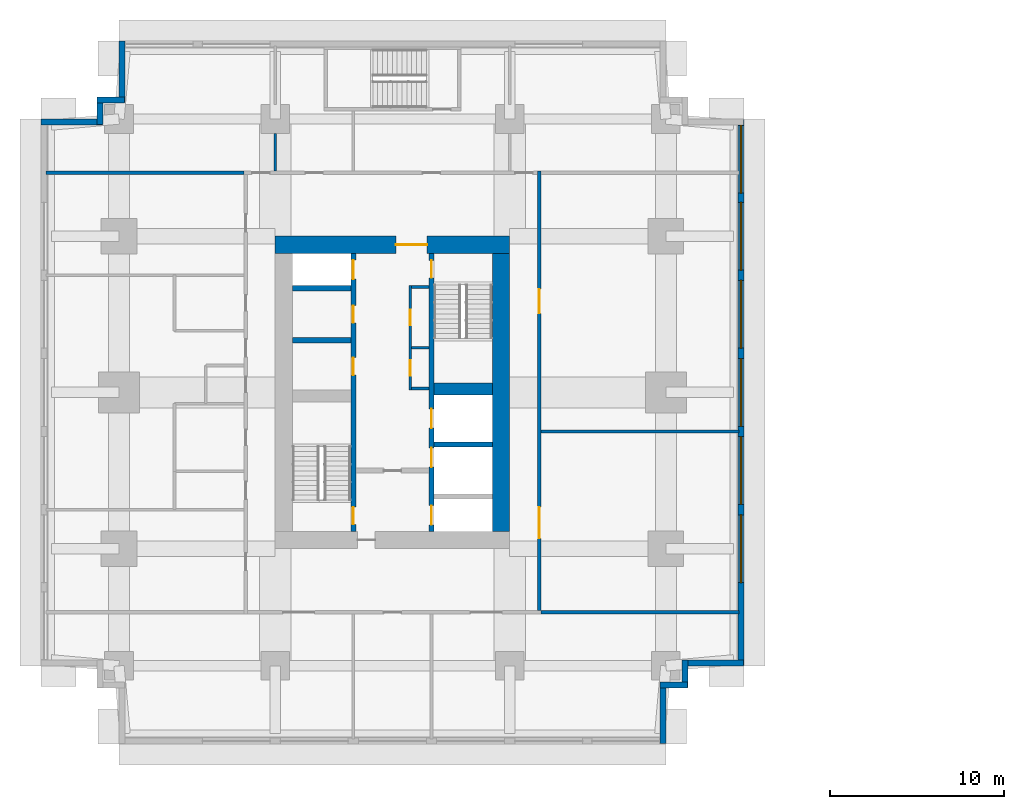
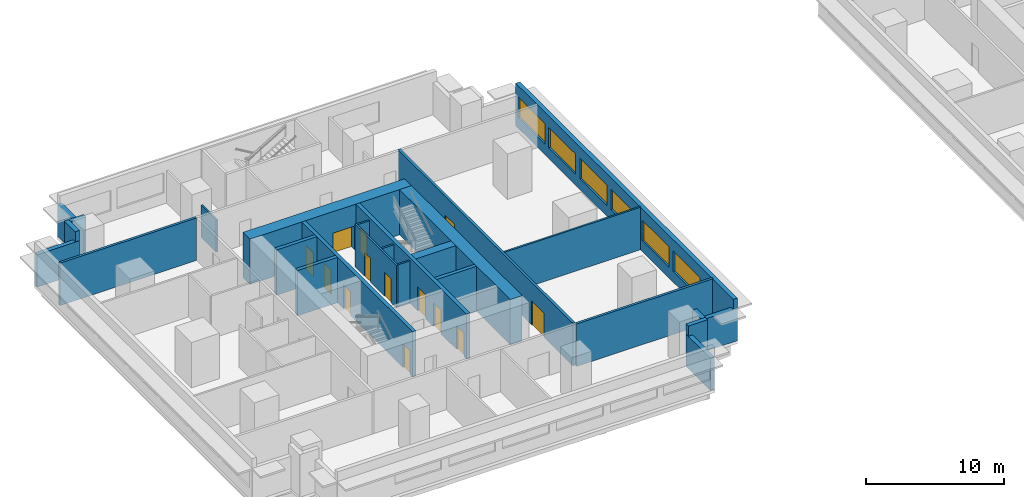
# One storey, part 4 of 11: 26 walls, 13 doors, 6 windows, 19 openings.
"""IFC4 building model written with IfcOpenShell, lengths in metres."""

from ifc_helpers import new_model, si_unit, direction, frame, frame_2d, origin, place, context, subcontext, project, spatial, rectangle, extrude, material, layer, layer_set, type_object, element, fill, save


model = new_model("IFC4")

# Units and contexts
model_context = context("Model", 3, precision=1e-05, world=origin(), true_north=direction((0.0, 1.0)))
body_context = subcontext(model_context, "Body", "Model", "MODEL_VIEW")
ifc_project = project(units=[si_unit("LENGTHUNIT", "METRE"), si_unit("AREAUNIT", "SQUARE_METRE"), si_unit("VOLUMEUNIT", "CUBIC_METRE"), si_unit("PLANEANGLEUNIT", "RADIAN"), si_unit("MASSUNIT", "GRAM", prefix="KILO")], contexts=[model_context])

# Site, building, storey
site_placement = place(None, origin())
site = spatial("IfcSite", under=ifc_project, at=site_placement, CompositionType="ELEMENT")
building_placement = place(site_placement, origin())
building = spatial("IfcBuilding", under=site, at=building_placement, Name="Namib Vertical Campus", CompositionType="ELEMENT")
storey_placement = place(building_placement, frame((0.0, 0.0, 197.0)))
storey = spatial("IfcBuildingStorey", under=building, at=storey_placement, Name="L46", CompositionType="ELEMENT", Elevation=197.0)

# Wall, openings, doors
ifc_material_1 = material(Name="Concrete C60/75", Category="concrete")
ifc_layer_1 = layer(ifc_material_1, 0.300048828125)
ifc_layer_set_1 = layer_set([ifc_layer_1], Name="Concrete C60/75")
wall_type_1 = type_object("IfcWallType", Name="Core inner wall 300", PredefinedType="SHEAR", material=ifc_layer_set_1)
wall_1_placement = place(storey_placement, frame((18.0, 12.25, 0.0), z_axis=(0.0, 0.0, 1.0), x_axis=(0.0, 1.0, 0.0)))
wall_1 = element("IfcWall", 1, at=wall_1_placement, inside=storey, type_object=wall_type_1, Name="Core inner wall A L46 W1", PredefinedType="SHEAR", context=body_context, shape_type="SweptSolid", body=[
    extrude(rectangle(XDim=16.0, YDim=0.300048828125, at=frame_2d((8.0, 0.0))), origin(), (0.0, 0.0, 1.0), 4.0),
])
opening_1_placement = place(wall_1_placement, frame((0.39990234375, 0.0, 0.0)))
opening_1 = element("IfcOpeningElement", 2, at=opening_1_placement, cuts=wall_1, Name="Opening FD1", PredefinedType="OPENING", context=body_context, shape_type="SweptSolid", body=[
    extrude(rectangle(XDim=1.0, YDim=2.10009765625, at=frame_2d((0.5, 1.050048828125))), frame((0.0, 0.159912109375, 0.0), z_axis=(0.0, -1.0, 0.0), x_axis=(1.0, 0.0, 0.0)), (0.0, 0.0, 1.0), 0.320068359375),
])
opening_2_placement = place(wall_1_placement, frame((14.52490234375, 0.0, 0.0)))
opening_2 = element("IfcOpeningElement", 3, at=opening_2_placement, cuts=wall_1, Name="Opening LD1", PredefinedType="OPENING", context=body_context, shape_type="SweptSolid", body=[
    extrude(rectangle(XDim=1.10009765625, YDim=2.10009765625, at=frame_2d((0.550048828125, 1.050048828125))), frame((0.0, 0.159912109375, 0.0), z_axis=(0.0, -1.0, 0.0), x_axis=(1.0, 0.0, 0.0)), (0.0, 0.0, 1.0), 0.320068359375),
])
opening_3_placement = place(wall_1_placement, frame((9.0, 0.0, 0.0)))
opening_3 = element("IfcOpeningElement", 4, at=opening_3_placement, cuts=wall_1, Name="Opening D1", PredefinedType="OPENING", context=body_context, shape_type="SweptSolid", body=[
    extrude(rectangle(XDim=1.0, YDim=2.10009765625, at=frame_2d((0.5, 1.050048828125))), frame((0.0, 0.159912109375, 0.0), z_axis=(0.0, -1.0, 0.0), x_axis=(1.0, 0.0, 0.0)), (0.0, 0.0, 1.0), 0.320068359375),
])
opening_4_placement = place(wall_1_placement, frame((12.0, 0.0, 0.0)))
opening_4 = element("IfcOpeningElement", 5, at=opening_4_placement, cuts=wall_1, Name="Opening D1", PredefinedType="OPENING", context=body_context, shape_type="SweptSolid", body=[
    extrude(rectangle(XDim=1.0, YDim=2.10009765625, at=frame_2d((0.5, 1.050048828125))), frame((0.0, 0.159912109375, 0.0), z_axis=(0.0, -1.0, 0.0), x_axis=(1.0, 0.0, 0.0)), (0.0, 0.0, 1.0), 0.320068359375),
])
ifc_material_2 = material(Name="Timber door leaf", Category="wood")
door_type_1 = type_object("IfcDoorType", Name="Door single 1000x2100", OperationType="SINGLE_SWING_LEFT", PredefinedType="DOOR", material=ifc_material_2)
door_1_placement = place(opening_3_placement, origin())
door_1 = element("IfcDoor", 6, at=door_1_placement, inside=storey, type_object=door_type_1, Name="Door D1 Store A L46 P1", OperationType="SINGLE_SWING_LEFT", OverallHeight=2.10009765625, OverallWidth=1.0, PredefinedType="DOOR", context=body_context, shape_type="SweptSolid", body=[
    extrude(rectangle(XDim=1.0, YDim=2.10009765625, at=frame_2d((0.5, 1.050048828125))), frame((0.0, 0.02490234375, 0.0), z_axis=(0.0, -1.0, 0.0), x_axis=(1.0, 0.0, 0.0)), (0.0, 0.0, 1.0), 0.050048828125),
])
fill(opening_3, door_1)
door_2_placement = place(opening_4_placement, origin())
door_2 = element("IfcDoor", 7, at=door_2_placement, inside=storey, type_object=door_type_1, Name="Door D1 Comms room A L46 P2", OperationType="SINGLE_SWING_LEFT", OverallHeight=2.10009765625, OverallWidth=1.0, PredefinedType="DOOR", context=body_context, shape_type="SweptSolid", body=[
    extrude(rectangle(XDim=1.0, YDim=2.10009765625, at=frame_2d((0.5, 1.050048828125))), frame((0.0, 0.02490234375, 0.0), z_axis=(0.0, -1.0, 0.0), x_axis=(1.0, 0.0, 0.0)), (0.0, 0.0, 1.0), 0.050048828125),
])
fill(opening_4, door_2)
ifc_material_3 = material(Name="Steel fire door", Category="steel")
door_type_2 = type_object("IfcDoorType", Name="Fire door 1000x2100", OperationType="SINGLE_SWING_RIGHT", PredefinedType="DOOR", material=ifc_material_3)
door_3_placement = place(opening_1_placement, origin())
door_3 = element("IfcDoor", 8, at=door_3_placement, inside=storey, type_object=door_type_2, Name="Stair door FD1 A L46 S1", OperationType="SINGLE_SWING_LEFT", OverallHeight=2.10009765625, OverallWidth=1.0, PredefinedType="DOOR", context=body_context, shape_type="SweptSolid", body=[
    extrude(rectangle(XDim=1.0, YDim=2.10009765625, at=frame_2d((0.5, 1.050048828125))), frame((0.0, 0.02490234375, 0.0), z_axis=(0.0, -1.0, 0.0), x_axis=(1.0, 0.0, 0.0)), (0.0, 0.0, 1.0), 0.050048828125),
])
fill(opening_1, door_3)
ifc_material_4 = material(Name="Stainless steel lift door", Category="steel")
door_type_3 = type_object("IfcDoorType", Name="Lift landing door 1100x2100", OperationType="DOUBLE_DOOR_SLIDING", PredefinedType="DOOR", material=ifc_material_4)
door_4_placement = place(opening_2_placement, origin())
door_4 = element("IfcDoor", 9, at=door_4_placement, inside=storey, type_object=door_type_3, Name="Lift landing door LD1 A-P3 L46", OperationType="DOUBLE_DOOR_SLIDING", OverallHeight=2.10009765625, OverallWidth=1.10009765625, PredefinedType="DOOR", context=body_context, shape_type="SweptSolid", body=[
    extrude(rectangle(XDim=1.10009765625, YDim=2.10009765625, at=frame_2d((0.550048828125, 1.050048828125))), frame((0.0, 0.02490234375, 0.0), z_axis=(0.0, -1.0, 0.0), x_axis=(1.0, 0.0, 0.0)), (0.0, 0.0, 1.0), 0.050048828125),
])
fill(opening_2, door_4)

wall_2_placement = place(storey_placement, frame((22.5, 12.25, 0.0), z_axis=(0.0, 0.0, 1.0), x_axis=(0.0, 1.0, 0.0)))
wall_2 = element("IfcWall", 10, at=wall_2_placement, inside=storey, type_object=wall_type_1, Name="Core inner wall A L46 W2", PredefinedType="SHEAR", context=body_context, shape_type="SweptSolid", body=[
    extrude(rectangle(XDim=16.0, YDim=0.300048828125, at=frame_2d((8.0, 0.0))), origin(), (0.0, 0.0, 1.0), 4.0),
])
opening_5_placement = place(wall_2_placement, frame((14.60009765625, 0.0, 0.0)))
opening_5 = element("IfcOpeningElement", 11, at=opening_5_placement, cuts=wall_2, Name="Opening FD1", PredefinedType="OPENING", context=body_context, shape_type="SweptSolid", body=[
    extrude(rectangle(XDim=1.0, YDim=2.10009765625, at=frame_2d((0.5, 1.050048828125))), frame((0.0, 0.159912109375, 0.0), z_axis=(0.0, -1.0, 0.0), x_axis=(1.0, 0.0, 0.0)), (0.0, 0.0, 1.0), 0.320068359375),
])
opening_6_placement = place(wall_2_placement, frame((0.375, 0.0, 0.0)))
opening_6 = element("IfcOpeningElement", 12, at=opening_6_placement, cuts=wall_2, Name="Opening LD1", PredefinedType="OPENING", context=body_context, shape_type="SweptSolid", body=[
    extrude(rectangle(XDim=1.10009765625, YDim=2.10009765625, at=frame_2d((0.550048828125, 1.050048828125))), frame((0.0, 0.159912109375, 0.0), z_axis=(0.0, -1.0, 0.0), x_axis=(1.0, 0.0, 0.0)), (0.0, 0.0, 1.0), 0.320068359375),
])
opening_7_placement = place(wall_2_placement, frame((3.699951171875, 0.0, 0.0)))
opening_7 = element("IfcOpeningElement", 13, at=opening_7_placement, cuts=wall_2, Name="Opening LD1", PredefinedType="OPENING", context=body_context, shape_type="SweptSolid", body=[
    extrude(rectangle(XDim=1.10009765625, YDim=2.10009765625, at=frame_2d((0.550048828125, 1.050048828125))), frame((0.0, 0.159912109375, 0.0), z_axis=(0.0, -1.0, 0.0), x_axis=(1.0, 0.0, 0.0)), (0.0, 0.0, 1.0), 0.320068359375),
])
opening_8_placement = place(wall_2_placement, frame((5.949951171875, 0.0, 0.0)))
opening_8 = element("IfcOpeningElement", 14, at=opening_8_placement, cuts=wall_2, Name="Opening LD1", PredefinedType="OPENING", context=body_context, shape_type="SweptSolid", body=[
    extrude(rectangle(XDim=1.10009765625, YDim=2.10009765625, at=frame_2d((0.550048828125, 1.050048828125))), frame((0.0, 0.159912109375, 0.0), z_axis=(0.0, -1.0, 0.0), x_axis=(1.0, 0.0, 0.0)), (0.0, 0.0, 1.0), 0.320068359375),
])
door_5_placement = place(opening_5_placement, frame((1.0, 0.0, 0.0), z_axis=(0.0, 0.0, 1.0), x_axis=(-1.0, 0.0, 0.0)))
door_5 = element("IfcDoor", 15, at=door_5_placement, inside=storey, type_object=door_type_2, Name="Stair door FD1 A L46 S2", OperationType="SINGLE_SWING_LEFT", OverallHeight=2.10009765625, OverallWidth=1.0, PredefinedType="DOOR", context=body_context, shape_type="SweptSolid", body=[
    extrude(rectangle(XDim=1.0, YDim=2.10009765625, at=frame_2d((0.5, 1.050048828125))), frame((0.0, 0.02490234375, 0.0), z_axis=(0.0, -1.0, 0.0), x_axis=(1.0, 0.0, 0.0)), (0.0, 0.0, 1.0), 0.050048828125),
])
fill(opening_5, door_5)
door_6_placement = place(opening_6_placement, origin())
door_6 = element("IfcDoor", 16, at=door_6_placement, inside=storey, type_object=door_type_3, Name="Lift landing door LD1 A-FL1 L46", OperationType="DOUBLE_DOOR_SLIDING", OverallHeight=2.10009765625, OverallWidth=1.10009765625, PredefinedType="DOOR", context=body_context, shape_type="SweptSolid", body=[
    extrude(rectangle(XDim=1.10009765625, YDim=2.10009765625, at=frame_2d((0.550048828125, 1.050048828125))), frame((0.0, 0.02490234375, 0.0), z_axis=(0.0, -1.0, 0.0), x_axis=(1.0, 0.0, 0.0)), (0.0, 0.0, 1.0), 0.050048828125),
])
fill(opening_6, door_6)
door_7_placement = place(opening_7_placement, origin())
door_7 = element("IfcDoor", 17, at=door_7_placement, inside=storey, type_object=door_type_3, Name="Lift landing door LD1 A-P4 L46", OperationType="DOUBLE_DOOR_SLIDING", OverallHeight=2.10009765625, OverallWidth=1.10009765625, PredefinedType="DOOR", context=body_context, shape_type="SweptSolid", body=[
    extrude(rectangle(XDim=1.10009765625, YDim=2.10009765625, at=frame_2d((0.550048828125, 1.050048828125))), frame((0.0, 0.02490234375, 0.0), z_axis=(0.0, -1.0, 0.0), x_axis=(1.0, 0.0, 0.0)), (0.0, 0.0, 1.0), 0.050048828125),
])
fill(opening_7, door_7)
door_8_placement = place(opening_8_placement, origin())
door_8 = element("IfcDoor", 18, at=door_8_placement, inside=storey, type_object=door_type_3, Name="Lift landing door LD1 A-P5 L46", OperationType="DOUBLE_DOOR_SLIDING", OverallHeight=2.10009765625, OverallWidth=1.10009765625, PredefinedType="DOOR", context=body_context, shape_type="SweptSolid", body=[
    extrude(rectangle(XDim=1.10009765625, YDim=2.10009765625, at=frame_2d((0.550048828125, 1.050048828125))), frame((0.0, 0.02490234375, 0.0), z_axis=(0.0, -1.0, 0.0), x_axis=(1.0, 0.0, 0.0)), (0.0, 0.0, 1.0), 0.050048828125),
])
fill(opening_8, door_8)

# Walls
for number, where, z_axis, x_axis, name in (
    (19, (22.64990234375, 17.25, 0.0), (0.0, 0.0, 1.0), (1.0, 0.0, 0.0), "Core inner wall A L46 W6"),
    (20, (14.5, 23.25, 0.0), (0.0, 0.0, 1.0), (1.0, 0.0, 0.0), "Core inner wall A L46 W8"),
    (21, (14.5, 26.25, 0.0), (0.0, 0.0, 1.0), (1.0, 0.0, 0.0), "Core inner wall A L46 W9"),
):
    element("IfcWall", number, at=place(storey_placement, frame(where, z_axis=z_axis, x_axis=x_axis)), inside=storey, type_object=wall_type_1, Name=name, PredefinedType="SHEAR", context=body_context, shape_type="SweptSolid", body=[
        extrude(rectangle(XDim=3.35009765625, YDim=0.300048828125, at=frame_2d((1.675048828125, 0.0))), origin(), (0.0, 0.0, 1.0), 4.0),
    ])
ifc_material_5 = material(Name="Concrete C60/75", Category="concrete")
ifc_layer_2 = layer(ifc_material_5, 0.699951171875)
ifc_layer_set_2 = layer_set([ifc_layer_2], Name="Concrete C60/75")
wall_type_2 = type_object("IfcWallType", Name="Core shear wall 700", PredefinedType="SHEAR", material=ifc_layer_set_2)
wall_3_placement = place(storey_placement, frame((22.64990234375, 20.449951171875, 0.0), z_axis=(0.0, 0.0, 1.0), x_axis=(1.0, 0.0, 0.0)))
element("IfcWall", 22, at=wall_3_placement, inside=storey, type_object=wall_type_2, Name="Core shear wall A L46 W7", PredefinedType="SHEAR", context=body_context, shape_type="SweptSolid", body=[
    extrude(rectangle(XDim=3.35009765625, YDim=0.699951171875, at=frame_2d((1.675048828125, 0.0))), origin(), (0.0, 0.0, 1.0), 4.0),
])
ifc_material_6 = material(Name="Concrete C60/75", Category="concrete")
ifc_layer_3 = layer(ifc_material_6, 1.0)
ifc_layer_set_3 = layer_set([ifc_layer_3], Name="Concrete C60/75")
wall_type_3 = type_object("IfcWallType", Name="Core wall 1000", PredefinedType="SHEAR", material=ifc_layer_set_3)
wall_4_placement = place(storey_placement, frame((26.5, 12.25, 0.0), z_axis=(0.0, 0.0, 1.0), x_axis=(0.0, 1.0, 0.0)))
element("IfcWall", 23, at=wall_4_placement, inside=storey, type_object=wall_type_3, Name="Core wall A L46 2", PredefinedType="SHEAR", context=body_context, shape_type="SweptSolid", body=[
    extrude(rectangle(XDim=16.0, YDim=1.0, at=frame_2d((8.0, 0.0))), origin(), (0.0, 0.0, 1.0), 4.0),
])

# Wall, opening, door
wall_5_placement = place(storey_placement, frame((27.0, 28.75, 0.0), z_axis=(0.0, 0.0, 1.0), x_axis=(-1.0, 0.0, 0.0)))
wall_5 = element("IfcWall", 24, at=wall_5_placement, inside=storey, type_object=wall_type_3, Name="Core wall A L46 3", PredefinedType="SHEAR", context=body_context, shape_type="SweptSolid", body=[
    extrude(rectangle(XDim=13.5, YDim=1.0, at=frame_2d((6.75, 0.0))), origin(), (0.0, 0.0, 1.0), 4.0),
])
opening_9_placement = place(wall_5_placement, frame((4.75, 0.0, 0.0)))
opening_9 = element("IfcOpeningElement", 25, at=opening_9_placement, cuts=wall_5, Name="Opening FD2", PredefinedType="OPENING", context=body_context, shape_type="SweptSolid", body=[
    extrude(rectangle(XDim=1.800048828125, YDim=2.10009765625, at=frame_2d((0.89990234375, 1.050048828125))), frame((0.0, 0.510009765625, 0.0), z_axis=(0.0, -1.0, 0.0), x_axis=(1.0, 0.0, 0.0)), (0.0, 0.0, 1.0), 1.02001953125),
])
ifc_material_7 = material(Name="Steel fire door", Category="steel")
door_type_4 = type_object("IfcDoorType", Name="Fire door double 1800x2100", OperationType="DOUBLE_DOOR_SINGLE_SWING", PredefinedType="DOOR", material=ifc_material_7)
door_9_placement = place(opening_9_placement, origin())
door_9 = element("IfcDoor", 26, at=door_9_placement, inside=storey, type_object=door_type_4, Name="Lift lobby door FD2 A L46", OperationType="DOUBLE_DOOR_SINGLE_SWING", OverallHeight=2.10009765625, OverallWidth=1.800048828125, PredefinedType="DOOR", context=body_context, shape_type="SweptSolid", body=[
    extrude(rectangle(XDim=1.800048828125, YDim=2.10009765625, at=frame_2d((0.89990234375, 1.050048828125))), frame((0.0, 0.02490234375, 0.0), z_axis=(0.0, -1.0, 0.0), x_axis=(1.0, 0.0, 0.0)), (0.0, 0.0, 1.0), 0.050048828125),
])
fill(opening_9, door_9)

# Wall, openings, doors
ifc_material_8 = material(Name="Concrete masonry", Category="masonry")
ifc_layer_4 = layer(ifc_material_8, 0.199951171875)
ifc_layer_set_4 = layer_set([ifc_layer_4], Name="Corridor wall 200")
wall_type_4 = type_object("IfcWallType", Name="Corridor wall 200", PredefinedType="SOLIDWALL", material=ifc_layer_set_4)
wall_6_placement = place(storey_placement, frame((28.699951171875, 7.699951171875, 0.0), z_axis=(0.0, 0.0, 1.0), x_axis=(0.0, 1.0, 0.0)))
wall_6 = element("IfcWall", 27, at=wall_6_placement, inside=storey, type_object=wall_type_4, Name="Corridor wall A L46 CE", PredefinedType="SOLIDWALL", context=body_context, shape_type="SweptSolid", body=[
    extrude(rectangle(XDim=25.300048828125, YDim=0.199951171875, at=frame_2d((12.64990234375, 0.0))), origin(), (0.0, 0.0, 1.0), 3.75),
])
opening_10_placement = place(wall_6_placement, frame((4.14990234375, 0.0, 0.0)))
opening_10 = element("IfcOpeningElement", 28, at=opening_10_placement, cuts=wall_6, Name="Opening CD2", PredefinedType="OPENING", context=body_context, shape_type="SweptSolid", body=[
    extrude(rectangle(XDim=1.800048828125, YDim=2.10009765625, at=frame_2d((0.89990234375, 1.050048828125))), frame((0.0, 0.10986328125, 0.0), z_axis=(0.0, -1.0, 0.0), x_axis=(1.0, 0.0, 0.0)), (0.0, 0.0, 1.0), 0.219970703125),
])
opening_11_placement = place(wall_6_placement, frame((17.10009765625, 0.0, 0.0)))
opening_11 = element("IfcOpeningElement", 29, at=opening_11_placement, cuts=wall_6, Name="Opening LB1", PredefinedType="OPENING", context=body_context, shape_type="SweptSolid", body=[
    extrude(rectangle(XDim=1.39990234375, YDim=2.10009765625, at=frame_2d((0.699951171875, 1.050048828125))), frame((0.0, 0.10986328125, 0.0), z_axis=(0.0, -1.0, 0.0), x_axis=(1.0, 0.0, 0.0)), (0.0, 0.0, 1.0), 0.219970703125),
])
ifc_material_9 = material(Name="Timber fire door leaf", Category="wood")
door_type_5 = type_object("IfcDoorType", Name="Corridor door double 1800x2100 20 min", OperationType="DOUBLE_DOOR_SINGLE_SWING", PredefinedType="DOOR", material=ifc_material_9)
door_10_placement = place(opening_10_placement, frame((1.800048828125, 0.0, 0.0), z_axis=(0.0, 0.0, 1.0), x_axis=(-1.0, 0.0, 0.0)))
door_10 = element("IfcDoor", 30, at=door_10_placement, inside=storey, type_object=door_type_5, Name="Door CD2 A46-04", OperationType="DOUBLE_DOOR_SINGLE_SWING", OverallHeight=2.10009765625, OverallWidth=1.800048828125, PredefinedType="DOOR", context=body_context, shape_type="SweptSolid", body=[
    extrude(rectangle(XDim=1.800048828125, YDim=2.10009765625, at=frame_2d((0.89990234375, 1.050048828125))), frame((0.0, 0.02490234375, 0.0), z_axis=(0.0, -1.0, 0.0), x_axis=(1.0, 0.0, 0.0)), (0.0, 0.0, 1.0), 0.050048828125),
])
fill(opening_10, door_10)
ifc_material_10 = material(Name="Timber fire door leaf", Category="wood")
door_type_6 = type_object("IfcDoorType", Name="Laboratory door 1400x2100 leaf and a half", OperationType="DOUBLE_DOOR_SINGLE_SWING", PredefinedType="DOOR", material=ifc_material_10)
door_11_placement = place(opening_11_placement, frame((1.39990234375, 0.0, 0.0), z_axis=(0.0, 0.0, 1.0), x_axis=(-1.0, 0.0, 0.0)))
door_11 = element("IfcDoor", 31, at=door_11_placement, inside=storey, type_object=door_type_6, Name="Door LB1 A46-05", OperationType="DOUBLE_DOOR_SINGLE_SWING", OverallHeight=2.10009765625, OverallWidth=1.39990234375, PredefinedType="DOOR", context=body_context, shape_type="SweptSolid", body=[
    extrude(rectangle(XDim=1.39990234375, YDim=2.10009765625, at=frame_2d((0.699951171875, 1.050048828125))), frame((0.0, 0.02490234375, 0.0), z_axis=(0.0, -1.0, 0.0), x_axis=(1.0, 0.0, 0.0)), (0.0, 0.0, 1.0), 0.050048828125),
])
fill(opening_11, door_11)

# Walls
for number, where, z_axis, x_axis, name in (
    (32, (28.800048828125, 7.60009765625, 0.0), (0.0, 0.0, 1.0), (1.0, 0.0, 0.0), "Partition A L46 BSE"),
    (33, (0.300048828125, 32.89990234375, 0.0), (0.0, 0.0, 1.0), (1.0, 0.0, 0.0), "Partition A L46 BNW"),
):
    element("IfcWall", number, at=place(storey_placement, frame(where, z_axis=z_axis, x_axis=x_axis)), inside=storey, type_object=wall_type_4, Name=name, PredefinedType="SOLIDWALL", context=body_context, shape_type="SweptSolid", body=[
        extrude(rectangle(XDim=11.39990234375, YDim=0.199951171875, at=frame_2d((5.699951171875, 0.0))), origin(), (0.0, 0.0, 1.0), 3.75),
    ])
ifc_material_11 = material(Name="Concrete C40/50", Category="concrete")
ifc_layer_5 = layer(ifc_material_11, 0.35009765625)
ifc_layer_set_5 = layer_set([ifc_layer_5], Name="Concrete C40/50")
wall_type_5 = type_object("IfcWallType", Name="External wall 350 bush-hammered concrete", PredefinedType="STANDARD", material=ifc_layer_set_5)
wall_7_placement = place(storey_placement, frame((35.824951171875, 0.02001953125, 0.0), z_axis=(0.0, 0.0, 1.0), x_axis=(0.0, 1.0, 0.0)))
element("IfcWall", 34, at=wall_7_placement, inside=storey, type_object=wall_type_5, Name="External wall L46 F02", PredefinedType="STANDARD", context=body_context, shape_type="SweptSolid", body=[
    extrude(rectangle(XDim=3.534912109375, YDim=0.35009765625, at=frame_2d((1.767578125, 0.0))), origin(), (0.0, 0.0, 1.0), 2.85009765625),
])
for number, where, z_axis, x_axis, name in (
    (35, (35.669921875, 3.39990234375, 0.0), (0.0, 0.0, 1.0), (1.0, 0.0, 0.0), "External wall L46 F03"),
    (36, (37.10009765625, 3.2451171875, 0.0), (0.0, 0.0, 1.0), (0.0, 1.0, 0.0), "External wall L46 F04"),
):
    element("IfcWall", number, at=place(storey_placement, frame(where, z_axis=z_axis, x_axis=x_axis)), inside=storey, type_object=wall_type_5, Name=name, PredefinedType="STANDARD", context=body_context, shape_type="SweptSolid", body=[
        extrude(rectangle(XDim=1.5849609375, YDim=0.35009765625, at=frame_2d((0.79248046875, 0.0))), origin(), (0.0, 0.0, 1.0), 3.75),
    ])
wall_8_placement = place(storey_placement, frame((36.945068359375, 4.675048828125, 0.0), z_axis=(0.0, 0.0, 1.0), x_axis=(1.0, 0.0, 0.0)))
element("IfcWall", 37, at=wall_8_placement, inside=storey, type_object=wall_type_5, Name="External wall L46 F05", PredefinedType="STANDARD", context=body_context, shape_type="SweptSolid", body=[
    extrude(rectangle(XDim=3.534912109375, YDim=0.35009765625, at=frame_2d((1.767578125, 0.0))), origin(), (0.0, 0.0, 1.0), 2.85009765625),
])

# Wall, openings, windows
wall_9_placement = place(storey_placement, frame((40.324951171875, 4.52001953125, 0.0), z_axis=(0.0, 0.0, 1.0), x_axis=(0.0, 1.0, 0.0)))
wall_9 = element("IfcWall", 38, at=wall_9_placement, inside=storey, type_object=wall_type_5, Name="External wall L46 F06", PredefinedType="STANDARD", context=body_context, shape_type="SweptSolid", body=[
    extrude(rectangle(XDim=31.4599609375, YDim=0.35009765625, at=frame_2d((15.72998046875, 0.0))), origin(), (0.0, 0.0, 1.0), 3.75),
])
opening_12_placement = place(wall_9_placement, frame((4.780029296875, 0.0, 0.949951171875)))
opening_12 = element("IfcOpeningElement", 39, at=opening_12_placement, cuts=wall_9, Name="Opening W3", PredefinedType="OPENING", context=body_context, shape_type="SweptSolid", body=[
    extrude(rectangle(XDim=3.89990234375, YDim=1.800048828125, at=frame_2d((1.949951171875, 0.89990234375))), frame((0.0, 0.18505859375, 0.0), z_axis=(0.0, -1.0, 0.0), x_axis=(1.0, 0.0, 0.0)), (0.0, 0.0, 1.0), 0.3701171875),
])
opening_13_placement = place(wall_9_placement, frame((9.280029296875, 0.0, 0.949951171875)))
opening_13 = element("IfcOpeningElement", 40, at=opening_13_placement, cuts=wall_9, Name="Opening W3", PredefinedType="OPENING", context=body_context, shape_type="SweptSolid", body=[
    extrude(rectangle(XDim=3.89990234375, YDim=1.800048828125, at=frame_2d((1.949951171875, 0.89990234375))), frame((0.0, 0.18505859375, 0.0), z_axis=(0.0, -1.0, 0.0), x_axis=(1.0, 0.0, 0.0)), (0.0, 0.0, 1.0), 0.3701171875),
])
opening_14_placement = place(wall_9_placement, frame((13.780029296875, 0.0, 0.949951171875)))
opening_14 = element("IfcOpeningElement", 41, at=opening_14_placement, cuts=wall_9, Name="Opening W3", PredefinedType="OPENING", context=body_context, shape_type="SweptSolid", body=[
    extrude(rectangle(XDim=3.89990234375, YDim=1.800048828125, at=frame_2d((1.949951171875, 0.89990234375))), frame((0.0, 0.18505859375, 0.0), z_axis=(0.0, -1.0, 0.0), x_axis=(1.0, 0.0, 0.0)), (0.0, 0.0, 1.0), 0.3701171875),
])
opening_15_placement = place(wall_9_placement, frame((18.280029296875, 0.0, 0.949951171875)))
opening_15 = element("IfcOpeningElement", 42, at=opening_15_placement, cuts=wall_9, Name="Opening W3", PredefinedType="OPENING", context=body_context, shape_type="SweptSolid", body=[
    extrude(rectangle(XDim=3.89990234375, YDim=1.800048828125, at=frame_2d((1.949951171875, 0.89990234375))), frame((0.0, 0.18505859375, 0.0), z_axis=(0.0, -1.0, 0.0), x_axis=(1.0, 0.0, 0.0)), (0.0, 0.0, 1.0), 0.3701171875),
])
opening_16_placement = place(wall_9_placement, frame((22.780029296875, 0.0, 0.949951171875)))
opening_16 = element("IfcOpeningElement", 43, at=opening_16_placement, cuts=wall_9, Name="Opening W3", PredefinedType="OPENING", context=body_context, shape_type="SweptSolid", body=[
    extrude(rectangle(XDim=3.89990234375, YDim=1.800048828125, at=frame_2d((1.949951171875, 0.89990234375))), frame((0.0, 0.18505859375, 0.0), z_axis=(0.0, -1.0, 0.0), x_axis=(1.0, 0.0, 0.0)), (0.0, 0.0, 1.0), 0.3701171875),
])
opening_17_placement = place(wall_9_placement, frame((27.2099609375, 0.0, 0.949951171875)))
opening_17 = element("IfcOpeningElement", 44, at=opening_17_placement, cuts=wall_9, Name="Opening W3", PredefinedType="OPENING", context=body_context, shape_type="SweptSolid", body=[
    extrude(rectangle(XDim=3.89990234375, YDim=1.800048828125, at=frame_2d((1.949951171875, 0.89990234375))), frame((0.0, 0.18505859375, 0.0), z_axis=(0.0, -1.0, 0.0), x_axis=(1.0, 0.0, 0.0)), (0.0, 0.0, 1.0), 0.3701171875),
])
ifc_material_12 = material(Name="Dark tinted glass in black aluminium frame", Category="aluminium")
window_type = type_object("IfcWindowType", Name="Ribbon window 3900x1800", PartitioningType="SINGLE_PANEL", PredefinedType="WINDOW", material=ifc_material_12)
window_1_placement = place(opening_12_placement, origin())
window_1 = element("IfcWindow", 45, at=window_1_placement, inside=storey, type_object=window_type, Name="Window W3 L46 F06-2", OverallHeight=1.800048828125, OverallWidth=3.89990234375, PartitioningType="SINGLE_PANEL", PredefinedType="WINDOW", context=body_context, shape_type="SweptSolid", body=[
    extrude(rectangle(XDim=3.89990234375, YDim=1.800048828125, at=frame_2d((1.949951171875, 0.89990234375))), frame((0.0, 0.030029296875, 0.0), z_axis=(0.0, -1.0, 0.0), x_axis=(1.0, 0.0, 0.0)), (0.0, 0.0, 1.0), 0.06005859375),
])
fill(opening_12, window_1)
window_2_placement = place(opening_13_placement, origin())
window_2 = element("IfcWindow", 46, at=window_2_placement, inside=storey, type_object=window_type, Name="Window W3 L46 F06-3", OverallHeight=1.800048828125, OverallWidth=3.89990234375, PartitioningType="SINGLE_PANEL", PredefinedType="WINDOW", context=body_context, shape_type="SweptSolid", body=[
    extrude(rectangle(XDim=3.89990234375, YDim=1.800048828125, at=frame_2d((1.949951171875, 0.89990234375))), frame((0.0, 0.030029296875, 0.0), z_axis=(0.0, -1.0, 0.0), x_axis=(1.0, 0.0, 0.0)), (0.0, 0.0, 1.0), 0.06005859375),
])
fill(opening_13, window_2)
window_3_placement = place(opening_14_placement, origin())
window_3 = element("IfcWindow", 47, at=window_3_placement, inside=storey, type_object=window_type, Name="Window W3 L46 F06-4", OverallHeight=1.800048828125, OverallWidth=3.89990234375, PartitioningType="SINGLE_PANEL", PredefinedType="WINDOW", context=body_context, shape_type="SweptSolid", body=[
    extrude(rectangle(XDim=3.89990234375, YDim=1.800048828125, at=frame_2d((1.949951171875, 0.89990234375))), frame((0.0, 0.030029296875, 0.0), z_axis=(0.0, -1.0, 0.0), x_axis=(1.0, 0.0, 0.0)), (0.0, 0.0, 1.0), 0.06005859375),
])
fill(opening_14, window_3)
window_4_placement = place(opening_15_placement, origin())
window_4 = element("IfcWindow", 48, at=window_4_placement, inside=storey, type_object=window_type, Name="Window W3 L46 F06-5", OverallHeight=1.800048828125, OverallWidth=3.89990234375, PartitioningType="SINGLE_PANEL", PredefinedType="WINDOW", context=body_context, shape_type="SweptSolid", body=[
    extrude(rectangle(XDim=3.89990234375, YDim=1.800048828125, at=frame_2d((1.949951171875, 0.89990234375))), frame((0.0, 0.030029296875, 0.0), z_axis=(0.0, -1.0, 0.0), x_axis=(1.0, 0.0, 0.0)), (0.0, 0.0, 1.0), 0.06005859375),
])
fill(opening_15, window_4)
window_5_placement = place(opening_16_placement, origin())
window_5 = element("IfcWindow", 49, at=window_5_placement, inside=storey, type_object=window_type, Name="Window W3 L46 F06-6", OverallHeight=1.800048828125, OverallWidth=3.89990234375, PartitioningType="SINGLE_PANEL", PredefinedType="WINDOW", context=body_context, shape_type="SweptSolid", body=[
    extrude(rectangle(XDim=3.89990234375, YDim=1.800048828125, at=frame_2d((1.949951171875, 0.89990234375))), frame((0.0, 0.030029296875, 0.0), z_axis=(0.0, -1.0, 0.0), x_axis=(1.0, 0.0, 0.0)), (0.0, 0.0, 1.0), 0.06005859375),
])
fill(opening_16, window_5)
window_6_placement = place(opening_17_placement, origin())
window_6 = element("IfcWindow", 50, at=window_6_placement, inside=storey, type_object=window_type, Name="Window W3 L46 F06-7", OverallHeight=1.800048828125, OverallWidth=3.89990234375, PartitioningType="SINGLE_PANEL", PredefinedType="WINDOW", context=body_context, shape_type="SweptSolid", body=[
    extrude(rectangle(XDim=3.89990234375, YDim=1.800048828125, at=frame_2d((1.949951171875, 0.89990234375))), frame((0.0, 0.030029296875, 0.0), z_axis=(0.0, -1.0, 0.0), x_axis=(1.0, 0.0, 0.0)), (0.0, 0.0, 1.0), 0.06005859375),
])
fill(opening_17, window_6)

# Walls
wall_10_placement = place(storey_placement, frame((4.675048828125, 40.47998046875, 0.0), z_axis=(0.0, 0.0, 1.0), x_axis=(0.0, -1.0, 0.0)))
element("IfcWall", 51, at=wall_10_placement, inside=storey, type_object=wall_type_5, Name="External wall L46 F12", PredefinedType="STANDARD", context=body_context, shape_type="SweptSolid", body=[
    extrude(rectangle(XDim=3.534912109375, YDim=0.35009765625, at=frame_2d((1.767578125, 0.0))), origin(), (0.0, 0.0, 1.0), 2.85009765625),
])
for number, where, z_axis, x_axis, name in (
    (52, (4.830078125, 37.10009765625, 0.0), (0.0, 0.0, 1.0), (-1.0, 0.0, 0.0), "External wall L46 F13"),
    (53, (3.39990234375, 37.2548828125, 0.0), (0.0, 0.0, 1.0), (0.0, -1.0, 0.0), "External wall L46 F14"),
):
    element("IfcWall", number, at=place(storey_placement, frame(where, z_axis=z_axis, x_axis=x_axis)), inside=storey, type_object=wall_type_5, Name=name, PredefinedType="STANDARD", context=body_context, shape_type="SweptSolid", body=[
        extrude(rectangle(XDim=1.5849609375, YDim=0.35009765625, at=frame_2d((0.79248046875, 0.0))), origin(), (0.0, 0.0, 1.0), 3.75),
    ])
wall_11_placement = place(storey_placement, frame((3.554931640625, 35.824951171875, 0.0), z_axis=(0.0, 0.0, 1.0), x_axis=(-1.0, 0.0, 0.0)))
element("IfcWall", 54, at=wall_11_placement, inside=storey, type_object=wall_type_5, Name="External wall L46 F15", PredefinedType="STANDARD", context=body_context, shape_type="SweptSolid", body=[
    extrude(rectangle(XDim=3.534912109375, YDim=0.35009765625, at=frame_2d((1.767578125, 0.0))), origin(), (0.0, 0.0, 1.0), 2.85009765625),
])

# Wall, openings, doors
ifc_material_13 = material(Name="Gypsum board on steel studs", Category="steel")
ifc_layer_6 = layer(ifc_material_13, 0.14990234375)
ifc_layer_set_6 = layer_set([ifc_layer_6], Name="Gypsum board on steel studs")
wall_type_6 = type_object("IfcWallType", Name="Partition 150", PredefinedType="PARTITIONING", material=ifc_layer_set_6)
wall_12_placement = place(storey_placement, frame((21.27490234375, 20.39990234375, 0.0), z_axis=(0.0, 0.0, 1.0), x_axis=(0.0, 1.0, 0.0)))
wall_12 = element("IfcWall", 55, at=wall_12_placement, inside=storey, type_object=wall_type_6, Name="Partition A L46 Cleaners' store and Tea point front", PredefinedType="PARTITIONING", context=body_context, shape_type="SweptSolid", body=[
    extrude(rectangle(XDim=6.0, YDim=0.14990234375, at=frame_2d((3.0, 0.0))), origin(), (0.0, 0.0, 1.0), 3.75),
])
opening_18_placement = place(wall_12_placement, frame((0.800048828125, 0.0, 0.0)))
opening_18 = element("IfcOpeningElement", 56, at=opening_18_placement, cuts=wall_12, Name="Opening D3", PredefinedType="OPENING", context=body_context, shape_type="SweptSolid", body=[
    extrude(rectangle(XDim=0.89990234375, YDim=2.10009765625, at=frame_2d((0.449951171875, 1.050048828125))), frame((0.0, 0.0849609375, 0.0), z_axis=(0.0, -1.0, 0.0), x_axis=(1.0, 0.0, 0.0)), (0.0, 0.0, 1.0), 0.169921875),
])
opening_19_placement = place(wall_12_placement, frame((3.72509765625, 0.0, 0.0)))
opening_19 = element("IfcOpeningElement", 57, at=opening_19_placement, cuts=wall_12, Name="Opening D3", PredefinedType="OPENING", context=body_context, shape_type="SweptSolid", body=[
    extrude(rectangle(XDim=0.89990234375, YDim=2.10009765625, at=frame_2d((0.449951171875, 1.050048828125))), frame((0.0, 0.0849609375, 0.0), z_axis=(0.0, -1.0, 0.0), x_axis=(1.0, 0.0, 0.0)), (0.0, 0.0, 1.0), 0.169921875),
])
ifc_material_14 = material(Name="Timber door leaf", Category="wood")
door_type_7 = type_object("IfcDoorType", Name="Toilet door 900x2100", OperationType="SINGLE_SWING_LEFT", PredefinedType="DOOR", material=ifc_material_14)
door_12_placement = place(opening_18_placement, frame((0.89990234375, 0.0, 0.0), z_axis=(0.0, 0.0, 1.0), x_axis=(-1.0, 0.0, 0.0)))
door_12 = element("IfcDoor", 58, at=door_12_placement, inside=storey, type_object=door_type_7, Name="Door D3 Cleaners' store A L46", OperationType="SINGLE_SWING_RIGHT", OverallHeight=2.10009765625, OverallWidth=0.89990234375, PredefinedType="DOOR", context=body_context, shape_type="SweptSolid", body=[
    extrude(rectangle(XDim=0.89990234375, YDim=2.10009765625, at=frame_2d((0.449951171875, 1.050048828125))), frame((0.0, 0.02490234375, 0.0), z_axis=(0.0, -1.0, 0.0), x_axis=(1.0, 0.0, 0.0)), (0.0, 0.0, 1.0), 0.050048828125),
])
fill(opening_18, door_12)
door_13_placement = place(opening_19_placement, frame((0.89990234375, 0.0, 0.0), z_axis=(0.0, 0.0, 1.0), x_axis=(-1.0, 0.0, 0.0)))
door_13 = element("IfcDoor", 59, at=door_13_placement, inside=storey, type_object=door_type_7, Name="Door D3 Tea point A L46", OperationType="SINGLE_SWING_RIGHT", OverallHeight=2.10009765625, OverallWidth=0.89990234375, PredefinedType="DOOR", context=body_context, shape_type="SweptSolid", body=[
    extrude(rectangle(XDim=0.89990234375, YDim=2.10009765625, at=frame_2d((0.449951171875, 1.050048828125))), frame((0.0, 0.02490234375, 0.0), z_axis=(0.0, -1.0, 0.0), x_axis=(1.0, 0.0, 0.0)), (0.0, 0.0, 1.0), 0.050048828125),
])
fill(opening_19, door_13)

# Walls
for number, where, z_axis, x_axis, name in (
    (60, (21.35009765625, 20.47509765625, 0.0), (0.0, 0.0, 1.0), (1.0, 0.0, 0.0), "Partition A L46 Cleaners' store and Tea point end 1"),
    (61, (21.35009765625, 22.824951171875, 0.0), (0.0, 0.0, 1.0), (1.0, 0.0, 0.0), "Partition A L46 Cleaners' store and Tea point division 2"),
    (62, (21.35009765625, 26.324951171875, 0.0), (0.0, 0.0, 1.0), (1.0, 0.0, 0.0), "Partition A L46 Cleaners' store and Tea point end 3"),
):
    element("IfcWall", number, at=place(storey_placement, frame(where, z_axis=z_axis, x_axis=x_axis)), inside=storey, type_object=wall_type_6, Name=name, PredefinedType="PARTITIONING", context=body_context, shape_type="SweptSolid", body=[
        extrude(rectangle(XDim=1.0, YDim=0.14990234375, at=frame_2d((0.5, 0.0))), origin(), (0.0, 0.0, 1.0), 3.75),
    ])
wall_13_placement = place(storey_placement, frame((13.5, 33.0, 0.0), z_axis=(0.0, 0.0, 1.0), x_axis=(0.0, 1.0, 0.0)))
element("IfcWall", 63, at=wall_13_placement, inside=storey, type_object=wall_type_6, Name="Partition A L46 PN1", PredefinedType="PARTITIONING", context=body_context, shape_type="SweptSolid", body=[
    extrude(rectangle(XDim=2.155029296875, YDim=0.14990234375, at=frame_2d((1.07763671875, 0.0))), origin(), (0.0, 0.0, 1.0), 2.85009765625),
])
wall_14_placement = place(storey_placement, frame((28.800048828125, 18.0, 0.0), z_axis=(0.0, 0.0, 1.0), x_axis=(1.0, 0.0, 0.0)))
element("IfcWall", 64, at=wall_14_placement, inside=storey, type_object=wall_type_6, Name="Partition A L46 PE1", PredefinedType="PARTITIONING", context=body_context, shape_type="SweptSolid", body=[
    extrude(rectangle(XDim=11.39990234375, YDim=0.14990234375, at=frame_2d((5.699951171875, 0.0))), origin(), (0.0, 0.0, 1.0), 3.75),
])

save(model, "model.ifc")
